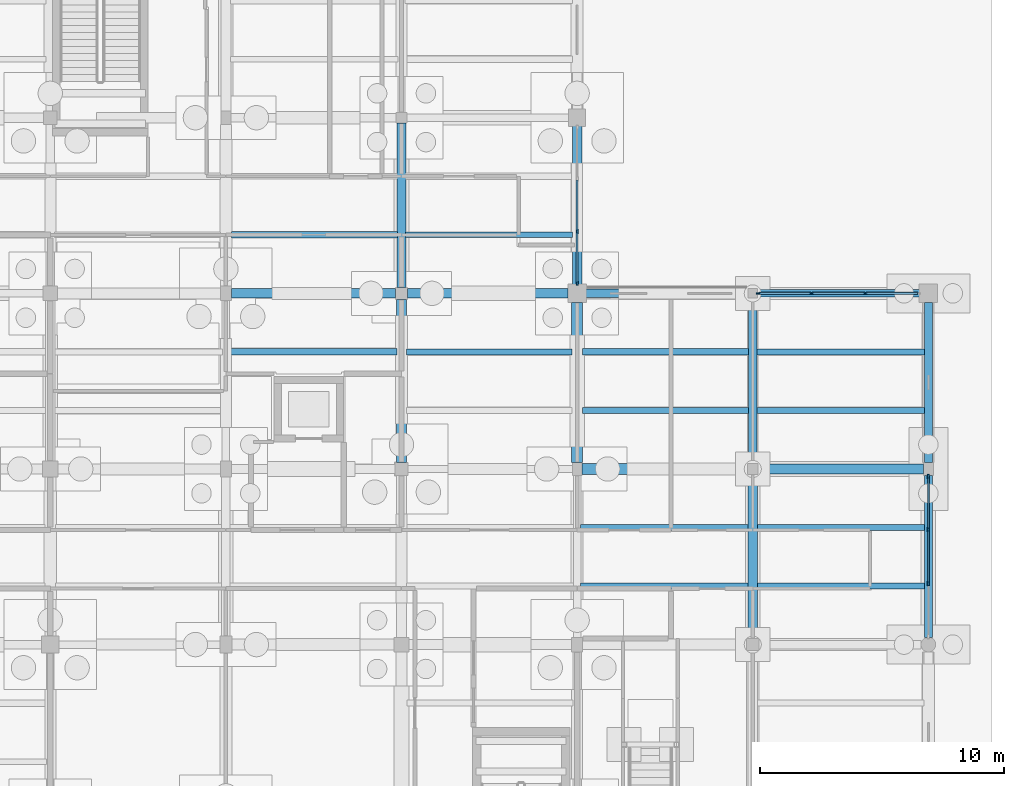
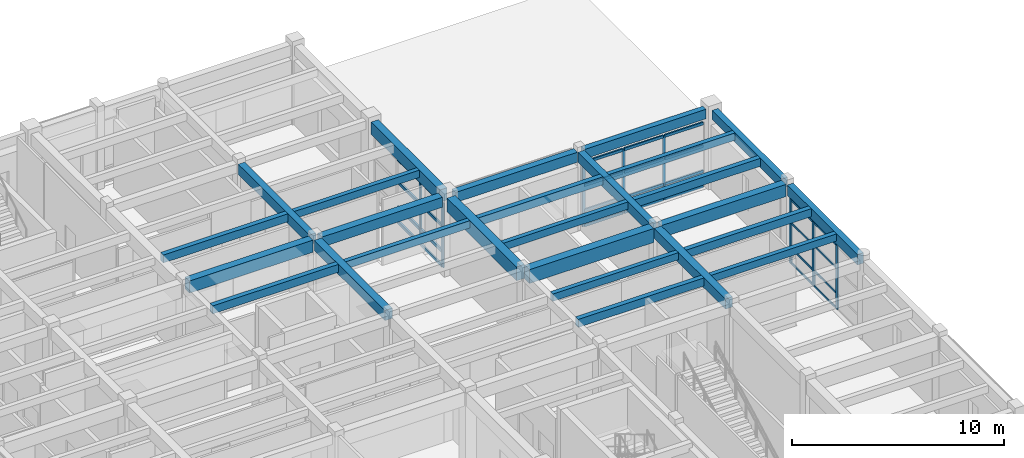
# One storey, part 74 of 143: 36 members, 26 beams, 3 elements without a shape of their own.
"""IFC4 building model written with IfcOpenShell, lengths in metres."""

from ifc_helpers import new_model, si_unit, direction, frame, origin, origin_2d, place, context, subcontext, project, spatial, rectangle, extrude, material, material_profile, profile_set, type_object, element, aggregate, save


model = new_model("IFC4")

# Units and contexts
model_context = context("Model", 3, precision=1e-05, world=origin(), true_north=direction((0.0, 1.0)))
body_context = subcontext(model_context, "Body", "Model", "MODEL_VIEW")
ifc_project = project(units=[si_unit("LENGTHUNIT", "METRE"), si_unit("AREAUNIT", "SQUARE_METRE"), si_unit("VOLUMEUNIT", "CUBIC_METRE"), si_unit("PLANEANGLEUNIT", "RADIAN"), si_unit("MASSUNIT", "GRAM", prefix="KILO")], contexts=[model_context])

# Site, building, storey
site_placement = place(None, origin())
site = spatial("IfcSite", under=ifc_project, at=site_placement, CompositionType="ELEMENT")
building_placement = place(site_placement, origin())
building = spatial("IfcBuilding", under=site, at=building_placement, Name="Steenspoor Specialist Clinic", CompositionType="ELEMENT")
storey_placement = place(building_placement, origin())
storey = spatial("IfcBuildingStorey", under=building, at=storey_placement, Name="L00", CompositionType="ELEMENT", Elevation=0.0)

# Beams
ifc_material_1 = material(Name="Concrete C35/45", Category="concrete")
ifc_material_profile_1 = material_profile(ifc_material_1, rectangle(XDim=0.300048828125, YDim=0.550048828125, at=origin_2d()), Name="RC-BM-300X550")
ifc_profile_set_1 = profile_set([ifc_material_profile_1], Name="Concrete C35/45")
beam_type_1 = type_object("IfcBeamType", Name="BM-RC-300X550", PredefinedType="BEAM", material=ifc_profile_set_1)
beam_1_placement = place(storey_placement, frame((154.195068359375, 93.949951171875, 4.2451171875), z_axis=(1.0, 0.0, 0.0), x_axis=(0.0, 1.0, 0.0)))
element("IfcBeam", 1, at=beam_1_placement, inside=storey, type_object=beam_type_1, Name="BM-V6-L00-X1383", PredefinedType="BEAM", context=body_context, shape_type="SweptSolid", body=[
    extrude(rectangle(XDim=0.300048828125, YDim=0.550048828125, at=origin_2d()), origin(), (0.0, 0.0, 1.0), 6.635009765625),
])
ifc_material_profile_2 = material_profile(ifc_material_1, rectangle(XDim=0.35009765625, YDim=0.580078125, at=origin_2d()), Name="RC-BM-350X580")
ifc_profile_set_2 = profile_set([ifc_material_profile_2], Name="Concrete C35/45")
beam_type_2 = type_object("IfcBeamType", Name="BM-RC-350X580", PredefinedType="BEAM", material=ifc_profile_set_2)
beam_2_placement = place(storey_placement, frame((147.169921875, 93.949951171875, 4.22998046875), z_axis=(1.0, 0.0, 0.0), x_axis=(0.0, 1.0, 0.0)))
element("IfcBeam", 2, at=beam_2_placement, inside=storey, type_object=beam_type_2, Name="BM-V6-L00-X1382", PredefinedType="BEAM", context=body_context, shape_type="SweptSolid", body=[
    extrude(rectangle(XDim=0.35009765625, YDim=0.580078125, at=origin_2d()), origin(), (0.0, 0.0, 1.0), 6.635009765625),
])
beam_3_placement = place(storey_placement, frame((139.60009765625, 94.195068359375, 4.22998046875), z_axis=(0.0, 1.0, 0.0), x_axis=(-1.0, 0.0, 0.0)))
element("IfcBeam", 3, at=beam_3_placement, inside=storey, type_object=beam_type_2, Name="BM-V6-L00-Y1412", PredefinedType="BEAM", context=body_context, shape_type="SweptSolid", body=[
    extrude(rectangle(XDim=0.35009765625, YDim=0.580078125, at=origin_2d()), origin(), (0.0, 0.0, 1.0), 6.73486328125),
])
beam_4_placement = place(storey_placement, frame((154.0, 86.969970703125, 4.22998046875), z_axis=(0.0, 1.0, 0.0), x_axis=(-1.0, 0.0, 0.0)))
element("IfcBeam", 4, at=beam_4_placement, inside=storey, type_object=beam_type_2, Name="BM-V6-L00-Y1423", PredefinedType="BEAM", context=body_context, shape_type="SweptSolid", body=[
    extrude(rectangle(XDim=0.35009765625, YDim=0.580078125, at=origin_2d()), origin(), (0.0, 0.0, 1.0), 6.784912109375),
])
ifc_material_profile_3 = material_profile(ifc_material_1, rectangle(XDim=0.39990234375, YDim=0.580078125, at=origin_2d()), Name="RC-BM-400X580")
ifc_profile_set_3 = profile_set([ifc_material_profile_3], Name="Concrete C35/45")
beam_type_3 = type_object("IfcBeamType", Name="BM-RC-400X580", PredefinedType="BEAM", material=ifc_profile_set_3)
beam_5_placement = place(storey_placement, frame((139.844970703125, 93.949951171875, 4.22998046875), z_axis=(1.0, 0.0, 0.0), x_axis=(0.0, 1.0, 0.0)))
element("IfcBeam", 5, at=beam_5_placement, inside=storey, type_object=beam_type_3, Name="BM-V6-L00-X1381", PredefinedType="BEAM", context=body_context, shape_type="SweptSolid", body=[
    extrude(rectangle(XDim=0.39990234375, YDim=0.580078125, at=origin_2d()), origin(), (0.0, 0.0, 1.0), 6.5849609375),
])
beam_6_placement = place(storey_placement, frame((139.60009765625, 87.02001953125, 4.22998046875), z_axis=(0.0, 1.0, 0.0), x_axis=(-1.0, 0.0, 0.0)))
element("IfcBeam", 6, at=beam_6_placement, inside=storey, type_object=beam_type_3, Name="BM-V6-L00-Y1411", PredefinedType="BEAM", context=body_context, shape_type="SweptSolid", body=[
    extrude(rectangle(XDim=0.39990234375, YDim=0.580078125, at=origin_2d()), origin(), (0.0, 0.0, 1.0), 6.68505859375),
])
beam_7_placement = place(storey_placement, frame((154.0, 79.794921875, 4.22998046875), z_axis=(0.0, 1.0, 0.0), x_axis=(-1.0, 0.0, 0.0)))
element("IfcBeam", 7, at=beam_7_placement, inside=storey, type_object=beam_type_3, Name="BM-V6-L00-Y1422", PredefinedType="BEAM", context=body_context, shape_type="SweptSolid", body=[
    extrude(rectangle(XDim=0.39990234375, YDim=0.580078125, at=origin_2d()), origin(), (0.0, 0.0, 1.0), 6.735107421875),
])
ifc_material_profile_4 = material_profile(ifc_material_1, rectangle(XDim=0.39990234375, YDim=0.699951171875, at=origin_2d()), Name="RC-BM-400X700")
ifc_profile_set_4 = profile_set([ifc_material_profile_4], Name="Concrete C35/45")
beam_type_4 = type_object("IfcBeamType", Name="BM-RC-400X700", PredefinedType="BEAM", material=ifc_profile_set_4)
beam_8_placement = place(storey_placement, frame((154.219970703125, 86.75, 4.169921875), z_axis=(1.0, 0.0, 0.0), x_axis=(0.0, 1.0, 0.0)))
element("IfcBeam", 8, at=beam_8_placement, inside=storey, type_object=beam_type_4, Name="BM-V6-L00-X1377", PredefinedType="BEAM", context=body_context, shape_type="SweptSolid", body=[
    extrude(rectangle(XDim=0.39990234375, YDim=0.699951171875, at=origin_2d()), origin(), (0.0, 0.0, 1.0), 6.784912109375),
])
beam_9_placement = place(storey_placement, frame((132.6201171875, 93.949951171875, 4.169921875), z_axis=(1.0, 0.0, 0.0), x_axis=(0.0, 1.0, 0.0)))
element("IfcBeam", 9, at=beam_9_placement, inside=storey, type_object=beam_type_4, Name="BM-V6-L00-X1380", PredefinedType="BEAM", context=body_context, shape_type="SweptSolid", body=[
    extrude(rectangle(XDim=0.39990234375, YDim=0.699951171875, at=origin_2d()), origin(), (0.0, 0.0, 1.0), 6.73486328125),
])
beam_10_placement = place(storey_placement, frame((146.800048828125, 94.320068359375, 4.169921875), z_axis=(0.0, 1.0, 0.0), x_axis=(-1.0, 0.0, 0.0)))
element("IfcBeam", 10, at=beam_10_placement, inside=storey, type_object=beam_type_4, Name="BM-V6-L00-Y1418", PredefinedType="BEAM", context=body_context, shape_type="SweptSolid", body=[
    extrude(rectangle(XDim=0.39990234375, YDim=0.699951171875, at=origin_2d()), origin(), (0.0, 0.0, 1.0), 6.48486328125),
])
ifc_material_profile_5 = material_profile(ifc_material_1, rectangle(XDim=0.449951171875, YDim=0.800048828125, at=origin_2d()), Name="RC-BM-450X800")
ifc_profile_set_5 = profile_set([ifc_material_profile_5], Name="Concrete C35/45")
beam_type_5 = type_object("IfcBeamType", Name="BM-RC-450X800", PredefinedType="BEAM", material=ifc_profile_set_5)
beam_11_placement = place(storey_placement, frame((146.9951171875, 86.75, 4.1201171875), z_axis=(1.0, 0.0, 0.0), x_axis=(0.0, 1.0, 0.0)))
element("IfcBeam", 11, at=beam_11_placement, inside=storey, type_object=beam_type_5, Name="BM-V6-L00-X1376", PredefinedType="BEAM", context=body_context, shape_type="SweptSolid", body=[
    extrude(rectangle(XDim=0.449951171875, YDim=0.800048828125, at=origin_2d()), origin(), (0.0, 0.0, 1.0), 6.784912109375),
])
beam_12_placement = place(storey_placement, frame((146.800048828125, 87.02001953125, 4.1201171875), z_axis=(0.0, 1.0, 0.0), x_axis=(-1.0, 0.0, 0.0)))
element("IfcBeam", 12, at=beam_12_placement, inside=storey, type_object=beam_type_5, Name="BM-V6-L00-Y1417", PredefinedType="BEAM", context=body_context, shape_type="SweptSolid", body=[
    extrude(rectangle(XDim=0.449951171875, YDim=0.800048828125, at=origin_2d()), origin(), (0.0, 0.0, 1.0), 6.56005859375),
])

# Curtain wall, members
ifc_material_2 = material(Name="Thermally broken aluminium and low-emissivity glass", Category="aluminium")
curtain_wall_type_1 = type_object("IfcCurtainWallType", Name="CW-HALL-650X820", PredefinedType="USERDEFINED", material=ifc_material_2)
curtain_wall_1_placement = place(storey_placement, origin())
curtain_wall_1 = element("IfcCurtainWall", 13, at=curtain_wall_1_placement, inside=storey, type_object=curtain_wall_type_1, Name="Unitised Curtain Wall CW-V6-L00-170", ObjectType="UNITISED GLAZING", PredefinedType="USERDEFINED")
ifc_material_3 = material(Name="Thermally broken aluminium 6063-T6", Category="aluminium")
ifc_material_profile_6 = material_profile(ifc_material_3, rectangle(XDim=0.070068359375, YDim=0.1650390625, at=origin_2d()), Name="CWM-70X165")
ifc_profile_set_6 = profile_set([ifc_material_profile_6], Name="Thermally broken aluminium 6063-T6")
member_type_1 = type_object("IfcMemberType", Name="CW-MULL-70X165", PredefinedType="MULLION", material=ifc_profile_set_6)
member_1_placement = place(storey_placement, frame((154.235107421875, 93.949951171875, 0.0), z_axis=(0.0, 0.0, 1.0), x_axis=(0.0, 1.0, 0.0)))
member_1 = element("IfcMember", 14, at=member_1_placement, type_object=member_type_1, Name="CW-02 mullion 1", PredefinedType="MULLION", context=body_context, shape_type="SweptSolid", body=[
    extrude(rectangle(XDim=0.070068359375, YDim=0.1650390625, at=origin_2d()), origin(), (0.0, 0.0, 1.0), 3.699951171875),
])
member_2_placement = place(storey_placement, frame((156.408447265625, 93.949951171875, 0.0), z_axis=(0.0, 0.0, 1.0), x_axis=(0.0, 1.0, 0.0)))
member_2 = element("IfcMember", 15, at=member_2_placement, type_object=member_type_1, Name="CW-02 mullion 2", PredefinedType="MULLION", context=body_context, shape_type="SweptSolid", body=[
    extrude(rectangle(XDim=0.070068359375, YDim=0.1650390625, at=origin_2d()), origin(), (0.0, 0.0, 1.0), 3.699951171875),
])
member_3_placement = place(storey_placement, frame((158.61669921875, 93.949951171875, 0.0), z_axis=(0.0, 0.0, 1.0), x_axis=(0.0, 1.0, 0.0)))
member_3 = element("IfcMember", 16, at=member_3_placement, type_object=member_type_1, Name="CW-02 mullion 3", PredefinedType="MULLION", context=body_context, shape_type="SweptSolid", body=[
    extrude(rectangle(XDim=0.070068359375, YDim=0.1650390625, at=origin_2d()), origin(), (0.0, 0.0, 1.0), 3.699951171875),
])

curtain_wall_type_2 = type_object("IfcCurtainWallType", Name="CW-SCR-360X320", PredefinedType="USERDEFINED", material=ifc_material_2)
curtain_wall_2_placement = place(storey_placement, origin())
curtain_wall_2 = element("IfcCurtainWall", 17, at=curtain_wall_2_placement, inside=storey, type_object=curtain_wall_type_2, Name="Unitised Curtain Wall CW-V6-L00-163", ObjectType="UNITISED GLAZING", PredefinedType="USERDEFINED")
ifc_material_profile_7 = material_profile(ifc_material_3, rectangle(XDim=0.080078125, YDim=0.179931640625, at=origin_2d()), Name="CWM-80X180")
ifc_profile_set_7 = profile_set([ifc_material_profile_7], Name="Thermally broken aluminium 6063-T6")
member_type_2 = type_object("IfcMemberType", Name="CW-MULL-80X180", PredefinedType="MULLION", material=ifc_profile_set_7)
member_4_placement = place(storey_placement, frame((161.199951171875, 86.43505859375, 0.0), z_axis=(0.0, 0.0, 1.0), x_axis=(1.0, 0.0, 0.0)))
member_4 = element("IfcMember", 18, at=member_4_placement, type_object=member_type_2, Name="CW-19 mullion 1", PredefinedType="MULLION", context=body_context, shape_type="SweptSolid", body=[
    extrude(rectangle(XDim=0.080078125, YDim=0.179931640625, at=origin_2d()), origin(), (0.0, 0.0, 1.0), 3.699951171875),
])
member_5_placement = place(storey_placement, frame((161.199951171875, 84.2666015625, 0.0), z_axis=(0.0, 0.0, 1.0), x_axis=(1.0, 0.0, 0.0)))
member_5 = element("IfcMember", 19, at=member_5_placement, type_object=member_type_2, Name="CW-19 mullion 2", PredefinedType="MULLION", context=body_context, shape_type="SweptSolid", body=[
    extrude(rectangle(XDim=0.080078125, YDim=0.179931640625, at=origin_2d()), origin(), (0.0, 0.0, 1.0), 3.699951171875),
])
member_6_placement = place(storey_placement, frame((161.199951171875, 82.058349609375, 0.0), z_axis=(0.0, 0.0, 1.0), x_axis=(1.0, 0.0, 0.0)))
member_6 = element("IfcMember", 20, at=member_6_placement, type_object=member_type_2, Name="CW-19 mullion 3", PredefinedType="MULLION", context=body_context, shape_type="SweptSolid", body=[
    extrude(rectangle(XDim=0.080078125, YDim=0.179931640625, at=origin_2d()), origin(), (0.0, 0.0, 1.0), 3.699951171875),
])

curtain_wall_type_3 = type_object("IfcCurtainWallType", Name="CW-HALL-660X820", PredefinedType="USERDEFINED", material=ifc_material_2)
curtain_wall_3_placement = place(storey_placement, origin())
curtain_wall_3 = element("IfcCurtainWall", 21, at=curtain_wall_3_placement, inside=storey, type_object=curtain_wall_type_3, Name="Unitised Curtain Wall CW-V6-L00-169", ObjectType="UNITISED GLAZING", PredefinedType="USERDEFINED")
member_7_placement = place(storey_placement, frame((146.800048828125, 96.4833984375, 0.0), z_axis=(0.0, 0.0, 1.0), x_axis=(1.0, 0.0, 0.0)))
member_7 = element("IfcMember", 22, at=member_7_placement, type_object=member_type_2, Name="CW-01 mullion 3", PredefinedType="MULLION", context=body_context, shape_type="SweptSolid", body=[
    extrude(rectangle(XDim=0.080078125, YDim=0.179931640625, at=origin_2d()), origin(), (0.0, 0.0, 1.0), 3.699951171875),
])
member_8_placement = place(storey_placement, frame((146.800048828125, 94.364990234375, 0.0), z_axis=(0.0, 0.0, 1.0), x_axis=(1.0, 0.0, 0.0)))
member_8 = element("IfcMember", 23, at=member_8_placement, type_object=member_type_2, Name="CW-01 mullion 4", PredefinedType="MULLION", context=body_context, shape_type="SweptSolid", body=[
    extrude(rectangle(XDim=0.080078125, YDim=0.179931640625, at=origin_2d()), origin(), (0.0, 0.0, 1.0), 3.699951171875),
])

# Member
ifc_material_profile_8 = material_profile(ifc_material_3, rectangle(XDim=0.06005859375, YDim=0.114990234375, at=origin_2d()), Name="CWT-60X115")
ifc_profile_set_8 = profile_set([ifc_material_profile_8], Name="Thermally broken aluminium 6063-T6")
member_type_3 = type_object("IfcMemberType", Name="CW-TRAN-60X115", PredefinedType="USERDEFINED", material=ifc_profile_set_8)
member_9_placement = place(storey_placement, frame((161.199951171875, 86.39501953125, 0.030029296875), z_axis=(0.0, -1.0, 0.0), x_axis=(1.0, 0.0, 0.0)))
member_9 = element("IfcMember", 24, at=member_9_placement, type_object=member_type_3, Name="CW-19 transom 1.1", ObjectType="TRANSOM", PredefinedType="USERDEFINED", context=body_context, shape_type="SweptSolid", body=[
    extrude(rectangle(XDim=0.06005859375, YDim=0.114990234375, at=origin_2d()), origin(), (0.0, 0.0, 1.0), 2.08837890625),
])

member_10_placement = place(storey_placement, frame((161.199951171875, 86.39501953125, 0.89990234375), z_axis=(0.0, -1.0, 0.0), x_axis=(1.0, 0.0, 0.0)))
member_10 = element("IfcMember", 25, at=member_10_placement, type_object=member_type_3, Name="CW-19 transom 1.2", ObjectType="TRANSOM", PredefinedType="USERDEFINED", context=body_context, shape_type="SweptSolid", body=[
    extrude(rectangle(XDim=0.06005859375, YDim=0.114990234375, at=origin_2d()), origin(), (0.0, 0.0, 1.0), 2.08837890625),
])

member_11_placement = place(storey_placement, frame((161.199951171875, 86.39501953125, 2.35009765625), z_axis=(0.0, -1.0, 0.0), x_axis=(1.0, 0.0, 0.0)))
member_11 = element("IfcMember", 26, at=member_11_placement, type_object=member_type_3, Name="CW-19 transom 1.3", ObjectType="TRANSOM", PredefinedType="USERDEFINED", context=body_context, shape_type="SweptSolid", body=[
    extrude(rectangle(XDim=0.06005859375, YDim=0.114990234375, at=origin_2d()), origin(), (0.0, 0.0, 1.0), 2.08837890625),
])

member_12_placement = place(storey_placement, frame((161.199951171875, 86.39501953125, 3.669921875), z_axis=(0.0, -1.0, 0.0), x_axis=(1.0, 0.0, 0.0)))
member_12 = element("IfcMember", 27, at=member_12_placement, type_object=member_type_3, Name="CW-19 transom 1.4", ObjectType="TRANSOM", PredefinedType="USERDEFINED", context=body_context, shape_type="SweptSolid", body=[
    extrude(rectangle(XDim=0.06005859375, YDim=0.114990234375, at=origin_2d()), origin(), (0.0, 0.0, 1.0), 2.08837890625),
])

member_13_placement = place(storey_placement, frame((161.199951171875, 84.2265625, 0.030029296875), z_axis=(0.0, -1.0, 0.0), x_axis=(1.0, 0.0, 0.0)))
member_13 = element("IfcMember", 28, at=member_13_placement, type_object=member_type_3, Name="CW-19 transom 2.1", ObjectType="TRANSOM", PredefinedType="USERDEFINED", context=body_context, shape_type="SweptSolid", body=[
    extrude(rectangle(XDim=0.06005859375, YDim=0.114990234375, at=origin_2d()), origin(), (0.0, 0.0, 1.0), 2.128173828125),
])

member_14_placement = place(storey_placement, frame((161.199951171875, 84.2265625, 0.89990234375), z_axis=(0.0, -1.0, 0.0), x_axis=(1.0, 0.0, 0.0)))
member_14 = element("IfcMember", 29, at=member_14_placement, type_object=member_type_3, Name="CW-19 transom 2.2", ObjectType="TRANSOM", PredefinedType="USERDEFINED", context=body_context, shape_type="SweptSolid", body=[
    extrude(rectangle(XDim=0.06005859375, YDim=0.114990234375, at=origin_2d()), origin(), (0.0, 0.0, 1.0), 2.128173828125),
])

member_15_placement = place(storey_placement, frame((161.199951171875, 84.2265625, 2.35009765625), z_axis=(0.0, -1.0, 0.0), x_axis=(1.0, 0.0, 0.0)))
member_15 = element("IfcMember", 30, at=member_15_placement, type_object=member_type_3, Name="CW-19 transom 2.3", ObjectType="TRANSOM", PredefinedType="USERDEFINED", context=body_context, shape_type="SweptSolid", body=[
    extrude(rectangle(XDim=0.06005859375, YDim=0.114990234375, at=origin_2d()), origin(), (0.0, 0.0, 1.0), 2.128173828125),
])

member_16_placement = place(storey_placement, frame((161.199951171875, 84.2265625, 3.669921875), z_axis=(0.0, -1.0, 0.0), x_axis=(1.0, 0.0, 0.0)))
member_16 = element("IfcMember", 31, at=member_16_placement, type_object=member_type_3, Name="CW-19 transom 2.4", ObjectType="TRANSOM", PredefinedType="USERDEFINED", context=body_context, shape_type="SweptSolid", body=[
    extrude(rectangle(XDim=0.06005859375, YDim=0.114990234375, at=origin_2d()), origin(), (0.0, 0.0, 1.0), 2.128173828125),
])

aggregate(curtain_wall_2, [member_4, member_5, member_6, member_9, member_10, member_11, member_12, member_13, member_14, member_15, member_16])

ifc_material_profile_9 = material_profile(ifc_material_3, rectangle(XDim=0.080078125, YDim=0.159912109375, at=origin_2d()), Name="CWT-80X160")
ifc_profile_set_9 = profile_set([ifc_material_profile_9], Name="Thermally broken aluminium 6063-T6")
member_type_4 = type_object("IfcMemberType", Name="CW-TRAN-80X160", PredefinedType="USERDEFINED", material=ifc_profile_set_9)
member_17_placement = place(storey_placement, frame((154.27001953125, 93.949951171875, 0.0400390625), z_axis=(1.0, 0.0, 0.0), x_axis=(0.0, 1.0, 0.0)))
member_17 = element("IfcMember", 32, at=member_17_placement, type_object=member_type_4, Name="CW-02 transom 1.1", ObjectType="TRANSOM", PredefinedType="USERDEFINED", context=body_context, shape_type="SweptSolid", body=[
    extrude(rectangle(XDim=0.080078125, YDim=0.159912109375, at=origin_2d()), origin(), (0.0, 0.0, 1.0), 2.103271484375),
])

member_18_placement = place(storey_placement, frame((154.27001953125, 93.949951171875, 0.89990234375), z_axis=(1.0, 0.0, 0.0), x_axis=(0.0, 1.0, 0.0)))
member_18 = element("IfcMember", 33, at=member_18_placement, type_object=member_type_4, Name="CW-02 transom 1.2", ObjectType="TRANSOM", PredefinedType="USERDEFINED", context=body_context, shape_type="SweptSolid", body=[
    extrude(rectangle(XDim=0.080078125, YDim=0.159912109375, at=origin_2d()), origin(), (0.0, 0.0, 1.0), 2.103271484375),
])

member_19_placement = place(storey_placement, frame((154.27001953125, 93.949951171875, 2.35009765625), z_axis=(1.0, 0.0, 0.0), x_axis=(0.0, 1.0, 0.0)))
member_19 = element("IfcMember", 34, at=member_19_placement, type_object=member_type_4, Name="CW-02 transom 1.3", ObjectType="TRANSOM", PredefinedType="USERDEFINED", context=body_context, shape_type="SweptSolid", body=[
    extrude(rectangle(XDim=0.080078125, YDim=0.159912109375, at=origin_2d()), origin(), (0.0, 0.0, 1.0), 2.103271484375),
])

member_20_placement = place(storey_placement, frame((154.27001953125, 93.949951171875, 3.659912109375), z_axis=(1.0, 0.0, 0.0), x_axis=(0.0, 1.0, 0.0)))
member_20 = element("IfcMember", 35, at=member_20_placement, type_object=member_type_4, Name="CW-02 transom 1.4", ObjectType="TRANSOM", PredefinedType="USERDEFINED", context=body_context, shape_type="SweptSolid", body=[
    extrude(rectangle(XDim=0.080078125, YDim=0.159912109375, at=origin_2d()), origin(), (0.0, 0.0, 1.0), 2.103271484375),
])

member_21_placement = place(storey_placement, frame((156.443359375, 93.949951171875, 0.0400390625), z_axis=(1.0, 0.0, 0.0), x_axis=(0.0, 1.0, 0.0)))
member_21 = element("IfcMember", 36, at=member_21_placement, type_object=member_type_4, Name="CW-02 transom 2.1", ObjectType="TRANSOM", PredefinedType="USERDEFINED", context=body_context, shape_type="SweptSolid", body=[
    extrude(rectangle(XDim=0.080078125, YDim=0.159912109375, at=origin_2d()), origin(), (0.0, 0.0, 1.0), 2.138427734375),
])

member_22_placement = place(storey_placement, frame((156.443359375, 93.949951171875, 0.89990234375), z_axis=(1.0, 0.0, 0.0), x_axis=(0.0, 1.0, 0.0)))
member_22 = element("IfcMember", 37, at=member_22_placement, type_object=member_type_4, Name="CW-02 transom 2.2", ObjectType="TRANSOM", PredefinedType="USERDEFINED", context=body_context, shape_type="SweptSolid", body=[
    extrude(rectangle(XDim=0.080078125, YDim=0.159912109375, at=origin_2d()), origin(), (0.0, 0.0, 1.0), 2.138427734375),
])

member_23_placement = place(storey_placement, frame((156.443359375, 93.949951171875, 2.35009765625), z_axis=(1.0, 0.0, 0.0), x_axis=(0.0, 1.0, 0.0)))
member_23 = element("IfcMember", 38, at=member_23_placement, type_object=member_type_4, Name="CW-02 transom 2.3", ObjectType="TRANSOM", PredefinedType="USERDEFINED", context=body_context, shape_type="SweptSolid", body=[
    extrude(rectangle(XDim=0.080078125, YDim=0.159912109375, at=origin_2d()), origin(), (0.0, 0.0, 1.0), 2.138427734375),
])

member_24_placement = place(storey_placement, frame((156.443359375, 93.949951171875, 3.659912109375), z_axis=(1.0, 0.0, 0.0), x_axis=(0.0, 1.0, 0.0)))
member_24 = element("IfcMember", 39, at=member_24_placement, type_object=member_type_4, Name="CW-02 transom 2.4", ObjectType="TRANSOM", PredefinedType="USERDEFINED", context=body_context, shape_type="SweptSolid", body=[
    extrude(rectangle(XDim=0.080078125, YDim=0.159912109375, at=origin_2d()), origin(), (0.0, 0.0, 1.0), 2.138427734375),
])

member_25_placement = place(storey_placement, frame((158.651611328125, 93.949951171875, 0.0400390625), z_axis=(1.0, 0.0, 0.0), x_axis=(0.0, 1.0, 0.0)))
member_25 = element("IfcMember", 40, at=member_25_placement, type_object=member_type_4, Name="CW-02 transom 3.1", ObjectType="TRANSOM", PredefinedType="USERDEFINED", context=body_context, shape_type="SweptSolid", body=[
    extrude(rectangle(XDim=0.080078125, YDim=0.159912109375, at=origin_2d()), origin(), (0.0, 0.0, 1.0), 2.103271484375),
])

member_26_placement = place(storey_placement, frame((158.651611328125, 93.949951171875, 0.89990234375), z_axis=(1.0, 0.0, 0.0), x_axis=(0.0, 1.0, 0.0)))
member_26 = element("IfcMember", 41, at=member_26_placement, type_object=member_type_4, Name="CW-02 transom 3.2", ObjectType="TRANSOM", PredefinedType="USERDEFINED", context=body_context, shape_type="SweptSolid", body=[
    extrude(rectangle(XDim=0.080078125, YDim=0.159912109375, at=origin_2d()), origin(), (0.0, 0.0, 1.0), 2.103271484375),
])

member_27_placement = place(storey_placement, frame((158.651611328125, 93.949951171875, 2.35009765625), z_axis=(1.0, 0.0, 0.0), x_axis=(0.0, 1.0, 0.0)))
member_27 = element("IfcMember", 42, at=member_27_placement, type_object=member_type_4, Name="CW-02 transom 3.3", ObjectType="TRANSOM", PredefinedType="USERDEFINED", context=body_context, shape_type="SweptSolid", body=[
    extrude(rectangle(XDim=0.080078125, YDim=0.159912109375, at=origin_2d()), origin(), (0.0, 0.0, 1.0), 2.103271484375),
])

member_28_placement = place(storey_placement, frame((158.651611328125, 93.949951171875, 3.659912109375), z_axis=(1.0, 0.0, 0.0), x_axis=(0.0, 1.0, 0.0)))
member_28 = element("IfcMember", 43, at=member_28_placement, type_object=member_type_4, Name="CW-02 transom 3.4", ObjectType="TRANSOM", PredefinedType="USERDEFINED", context=body_context, shape_type="SweptSolid", body=[
    extrude(rectangle(XDim=0.080078125, YDim=0.159912109375, at=origin_2d()), origin(), (0.0, 0.0, 1.0), 2.103271484375),
])

aggregate(curtain_wall_1, [member_1, member_2, member_3, member_17, member_18, member_19, member_20, member_21, member_22, member_23, member_24, member_25, member_26, member_27, member_28])

ifc_material_profile_10 = material_profile(ifc_material_3, rectangle(XDim=0.090087890625, YDim=0.175048828125, at=origin_2d()), Name="CWT-90X175")
ifc_profile_set_10 = profile_set([ifc_material_profile_10], Name="Thermally broken aluminium 6063-T6")
member_type_5 = type_object("IfcMemberType", Name="CW-TRAN-90X175", PredefinedType="USERDEFINED", material=ifc_profile_set_10)
member_29_placement = place(storey_placement, frame((146.800048828125, 98.6015625, 0.044921875), z_axis=(0.0, -1.0, 0.0), x_axis=(1.0, 0.0, 0.0)))
member_29 = element("IfcMember", 44, at=member_29_placement, type_object=member_type_5, Name="CW-01 transom 2.1", ObjectType="TRANSOM", PredefinedType="USERDEFINED", context=body_context, shape_type="SweptSolid", body=[
    extrude(rectangle(XDim=0.090087890625, YDim=0.175048828125, at=origin_2d()), origin(), (0.0, 0.0, 1.0), 2.078125),
])

member_30_placement = place(storey_placement, frame((146.800048828125, 98.6015625, 0.89990234375), z_axis=(0.0, -1.0, 0.0), x_axis=(1.0, 0.0, 0.0)))
member_30 = element("IfcMember", 45, at=member_30_placement, type_object=member_type_5, Name="CW-01 transom 2.2", ObjectType="TRANSOM", PredefinedType="USERDEFINED", context=body_context, shape_type="SweptSolid", body=[
    extrude(rectangle(XDim=0.090087890625, YDim=0.175048828125, at=origin_2d()), origin(), (0.0, 0.0, 1.0), 2.078125),
])

member_31_placement = place(storey_placement, frame((146.800048828125, 98.6015625, 2.35009765625), z_axis=(0.0, -1.0, 0.0), x_axis=(1.0, 0.0, 0.0)))
member_31 = element("IfcMember", 46, at=member_31_placement, type_object=member_type_5, Name="CW-01 transom 2.3", ObjectType="TRANSOM", PredefinedType="USERDEFINED", context=body_context, shape_type="SweptSolid", body=[
    extrude(rectangle(XDim=0.090087890625, YDim=0.175048828125, at=origin_2d()), origin(), (0.0, 0.0, 1.0), 2.078125),
])

member_32_placement = place(storey_placement, frame((146.800048828125, 98.6015625, 3.655029296875), z_axis=(0.0, -1.0, 0.0), x_axis=(1.0, 0.0, 0.0)))
member_32 = element("IfcMember", 47, at=member_32_placement, type_object=member_type_5, Name="CW-01 transom 2.4", ObjectType="TRANSOM", PredefinedType="USERDEFINED", context=body_context, shape_type="SweptSolid", body=[
    extrude(rectangle(XDim=0.090087890625, YDim=0.175048828125, at=origin_2d()), origin(), (0.0, 0.0, 1.0), 2.078125),
])

member_33_placement = place(storey_placement, frame((146.800048828125, 96.443359375, 0.044921875), z_axis=(0.0, -1.0, 0.0), x_axis=(1.0, 0.0, 0.0)))
member_33 = element("IfcMember", 48, at=member_33_placement, type_object=member_type_5, Name="CW-01 transom 3.1", ObjectType="TRANSOM", PredefinedType="USERDEFINED", context=body_context, shape_type="SweptSolid", body=[
    extrude(rectangle(XDim=0.090087890625, YDim=0.175048828125, at=origin_2d()), origin(), (0.0, 0.0, 1.0), 2.038330078125),
])

member_34_placement = place(storey_placement, frame((146.800048828125, 96.443359375, 0.89990234375), z_axis=(0.0, -1.0, 0.0), x_axis=(1.0, 0.0, 0.0)))
member_34 = element("IfcMember", 49, at=member_34_placement, type_object=member_type_5, Name="CW-01 transom 3.2", ObjectType="TRANSOM", PredefinedType="USERDEFINED", context=body_context, shape_type="SweptSolid", body=[
    extrude(rectangle(XDim=0.090087890625, YDim=0.175048828125, at=origin_2d()), origin(), (0.0, 0.0, 1.0), 2.038330078125),
])

member_35_placement = place(storey_placement, frame((146.800048828125, 96.443359375, 2.35009765625), z_axis=(0.0, -1.0, 0.0), x_axis=(1.0, 0.0, 0.0)))
member_35 = element("IfcMember", 50, at=member_35_placement, type_object=member_type_5, Name="CW-01 transom 3.3", ObjectType="TRANSOM", PredefinedType="USERDEFINED", context=body_context, shape_type="SweptSolid", body=[
    extrude(rectangle(XDim=0.090087890625, YDim=0.175048828125, at=origin_2d()), origin(), (0.0, 0.0, 1.0), 2.038330078125),
])

member_36_placement = place(storey_placement, frame((146.800048828125, 96.443359375, 3.655029296875), z_axis=(0.0, -1.0, 0.0), x_axis=(1.0, 0.0, 0.0)))
member_36 = element("IfcMember", 51, at=member_36_placement, type_object=member_type_5, Name="CW-01 transom 3.4", ObjectType="TRANSOM", PredefinedType="USERDEFINED", context=body_context, shape_type="SweptSolid", body=[
    extrude(rectangle(XDim=0.090087890625, YDim=0.175048828125, at=origin_2d()), origin(), (0.0, 0.0, 1.0), 2.038330078125),
])

aggregate(curtain_wall_3, [member_7, member_8, member_29, member_30, member_31, member_32, member_33, member_34, member_35, member_36])

# Beams
ifc_material_profile_11 = material_profile(ifc_material_1, rectangle(XDim=0.239990234375, YDim=0.419921875, at=origin_2d()), Name="RC-JT-240X420")
ifc_profile_set_11 = profile_set([ifc_material_profile_11], Name="Concrete C35/45")
beam_type_6 = type_object("IfcBeamType", Name="JT-RC-240X420", PredefinedType="JOIST", material=ifc_profile_set_11)
beam_13_placement = place(storey_placement, frame((139.794921875, 91.550048828125, 4.31005859375), z_axis=(1.0, 0.0, 0.0), x_axis=(0.0, 1.0, 0.0)))
element("IfcBeam", 52, at=beam_13_placement, inside=storey, type_object=beam_type_6, Name="JT-V6-L00-1462", PredefinedType="JOIST", context=body_context, shape_type="SweptSolid", body=[
    extrude(rectangle(XDim=0.239990234375, YDim=0.419921875, at=origin_2d()), origin(), (0.0, 0.0, 1.0), 6.78515625),
])
beam_14_placement = place(storey_placement, frame((139.77001953125, 96.35009765625, 4.31005859375), z_axis=(1.0, 0.0, 0.0), x_axis=(0.0, 1.0, 0.0)))
element("IfcBeam", 53, at=beam_14_placement, inside=storey, type_object=beam_type_6, Name="JT-V6-L00-1463", PredefinedType="JOIST", context=body_context, shape_type="SweptSolid", body=[
    extrude(rectangle(XDim=0.239990234375, YDim=0.419921875, at=origin_2d()), origin(), (0.0, 0.0, 1.0), 6.8349609375),
])
beam_15_placement = place(storey_placement, frame((146.945068359375, 84.35009765625, 4.31005859375), z_axis=(1.0, 0.0, 0.0), x_axis=(0.0, 1.0, 0.0)))
element("IfcBeam", 54, at=beam_15_placement, inside=storey, type_object=beam_type_6, Name="JT-V6-L00-1468", PredefinedType="JOIST", context=body_context, shape_type="SweptSolid", body=[
    extrude(rectangle(XDim=0.239990234375, YDim=0.419921875, at=origin_2d()), origin(), (0.0, 0.0, 1.0), 6.85986328125),
])
beam_16_placement = place(storey_placement, frame((147.02001953125, 89.14990234375, 4.31005859375), z_axis=(1.0, 0.0, 0.0), x_axis=(0.0, 1.0, 0.0)))
element("IfcBeam", 55, at=beam_16_placement, inside=storey, type_object=beam_type_6, Name="JT-V6-L00-1469", PredefinedType="JOIST", context=body_context, shape_type="SweptSolid", body=[
    extrude(rectangle(XDim=0.239990234375, YDim=0.419921875, at=origin_2d()), origin(), (0.0, 0.0, 1.0), 6.81005859375),
])
beam_17_placement = place(storey_placement, frame((154.195068359375, 81.949951171875, 4.31005859375), z_axis=(1.0, 0.0, 0.0), x_axis=(0.0, 1.0, 0.0)))
element("IfcBeam", 56, at=beam_17_placement, inside=storey, type_object=beam_type_6, Name="JT-V6-L00-1475", PredefinedType="JOIST", context=body_context, shape_type="SweptSolid", body=[
    extrude(rectangle(XDim=0.239990234375, YDim=0.419921875, at=origin_2d()), origin(), (0.0, 0.0, 1.0), 6.849853515625),
])
beam_18_placement = place(storey_placement, frame((154.169921875, 91.550048828125, 4.31005859375), z_axis=(1.0, 0.0, 0.0), x_axis=(0.0, 1.0, 0.0)))
element("IfcBeam", 57, at=beam_18_placement, inside=storey, type_object=beam_type_6, Name="JT-V6-L00-1478", PredefinedType="JOIST", context=body_context, shape_type="SweptSolid", body=[
    extrude(rectangle(XDim=0.239990234375, YDim=0.419921875, at=origin_2d()), origin(), (0.0, 0.0, 1.0), 6.875),
])
ifc_material_profile_12 = material_profile(ifc_material_1, rectangle(XDim=0.260009765625, YDim=0.4599609375, at=origin_2d()), Name="RC-JT-260X460")
ifc_profile_set_12 = profile_set([ifc_material_profile_12], Name="Concrete C35/45")
beam_type_7 = type_object("IfcBeamType", Name="JT-RC-260X460", PredefinedType="JOIST", material=ifc_profile_set_12)
beam_19_placement = place(storey_placement, frame((132.544921875, 91.550048828125, 4.2900390625), z_axis=(1.0, 0.0, 0.0), x_axis=(0.0, 1.0, 0.0)))
element("IfcBeam", 58, at=beam_19_placement, inside=storey, type_object=beam_type_7, Name="JT-V6-L00-1452", PredefinedType="JOIST", context=body_context, shape_type="SweptSolid", body=[
    extrude(rectangle(XDim=0.260009765625, YDim=0.4599609375, at=origin_2d()), origin(), (0.0, 0.0, 1.0), 6.860107421875),
])
beam_20_placement = place(storey_placement, frame((132.6201171875, 96.35009765625, 4.2900390625), z_axis=(1.0, 0.0, 0.0), x_axis=(0.0, 1.0, 0.0)))
element("IfcBeam", 59, at=beam_20_placement, inside=storey, type_object=beam_type_7, Name="JT-V6-L00-1453", PredefinedType="JOIST", context=body_context, shape_type="SweptSolid", body=[
    extrude(rectangle(XDim=0.260009765625, YDim=0.4599609375, at=origin_2d()), origin(), (0.0, 0.0, 1.0), 6.809814453125),
])
beam_21_placement = place(storey_placement, frame((146.945068359375, 81.949951171875, 4.2900390625), z_axis=(1.0, 0.0, 0.0), x_axis=(0.0, 1.0, 0.0)))
element("IfcBeam", 60, at=beam_21_placement, inside=storey, type_object=beam_type_7, Name="JT-V6-L00-1467", PredefinedType="JOIST", context=body_context, shape_type="SweptSolid", body=[
    extrude(rectangle(XDim=0.260009765625, YDim=0.4599609375, at=origin_2d()), origin(), (0.0, 0.0, 1.0), 6.85986328125),
])
beam_22_placement = place(storey_placement, frame((147.02001953125, 91.550048828125, 4.2900390625), z_axis=(1.0, 0.0, 0.0), x_axis=(0.0, 1.0, 0.0)))
element("IfcBeam", 61, at=beam_22_placement, inside=storey, type_object=beam_type_7, Name="JT-V6-L00-1470", PredefinedType="JOIST", context=body_context, shape_type="SweptSolid", body=[
    extrude(rectangle(XDim=0.260009765625, YDim=0.4599609375, at=origin_2d()), origin(), (0.0, 0.0, 1.0), 6.81005859375),
])
beam_23_placement = place(storey_placement, frame((154.195068359375, 84.35009765625, 4.2900390625), z_axis=(1.0, 0.0, 0.0), x_axis=(0.0, 1.0, 0.0)))
element("IfcBeam", 62, at=beam_23_placement, inside=storey, type_object=beam_type_7, Name="JT-V6-L00-1476", PredefinedType="JOIST", context=body_context, shape_type="SweptSolid", body=[
    extrude(rectangle(XDim=0.260009765625, YDim=0.4599609375, at=origin_2d()), origin(), (0.0, 0.0, 1.0), 6.849853515625),
])
beam_24_placement = place(storey_placement, frame((154.169921875, 89.14990234375, 4.2900390625), z_axis=(1.0, 0.0, 0.0), x_axis=(0.0, 1.0, 0.0)))
element("IfcBeam", 63, at=beam_24_placement, inside=storey, type_object=beam_type_7, Name="JT-V6-L00-1477", PredefinedType="JOIST", context=body_context, shape_type="SweptSolid", body=[
    extrude(rectangle(XDim=0.260009765625, YDim=0.4599609375, at=origin_2d()), origin(), (0.0, 0.0, 1.0), 6.875),
])
ifc_material_profile_13 = material_profile(ifc_material_1, rectangle(XDim=0.320068359375, YDim=0.5400390625, at=origin_2d()), Name="RC-SP-320X540")
ifc_profile_set_13 = profile_set([ifc_material_profile_13], Name="Concrete C35/45")
beam_type_8 = type_object("IfcBeamType", Name="SP-RC-320X540", PredefinedType="SPANDREL", material=ifc_profile_set_13)
beam_25_placement = place(storey_placement, frame((161.199951171875, 87.02001953125, 4.25), z_axis=(0.0, 1.0, 0.0), x_axis=(-1.0, 0.0, 0.0)))
element("IfcBeam", 64, at=beam_25_placement, inside=storey, type_object=beam_type_8, Name="BM-V6-L00-Y1427", PredefinedType="SPANDREL", context=body_context, shape_type="SweptSolid", body=[
    extrude(rectangle(XDim=0.320068359375, YDim=0.5400390625, at=origin_2d()), origin(), (0.0, 0.0, 1.0), 6.56005859375),
])
ifc_material_profile_14 = material_profile(ifc_material_1, rectangle(XDim=0.320068359375, YDim=0.60009765625, at=origin_2d()), Name="RC-SP-320X600")
ifc_profile_set_14 = profile_set([ifc_material_profile_14], Name="Concrete C35/45")
beam_type_9 = type_object("IfcBeamType", Name="SP-RC-320X600", PredefinedType="SPANDREL", material=ifc_profile_set_14)
beam_26_placement = place(storey_placement, frame((161.199951171875, 79.844970703125, 4.219970703125), z_axis=(0.0, 1.0, 0.0), x_axis=(-1.0, 0.0, 0.0)))
element("IfcBeam", 65, at=beam_26_placement, inside=storey, type_object=beam_type_9, Name="BM-V6-L00-Y1426", PredefinedType="SPANDREL", context=body_context, shape_type="SweptSolid", body=[
    extrude(rectangle(XDim=0.320068359375, YDim=0.60009765625, at=origin_2d()), origin(), (0.0, 0.0, 1.0), 6.635009765625),
])

save(model, "model.ifc")
